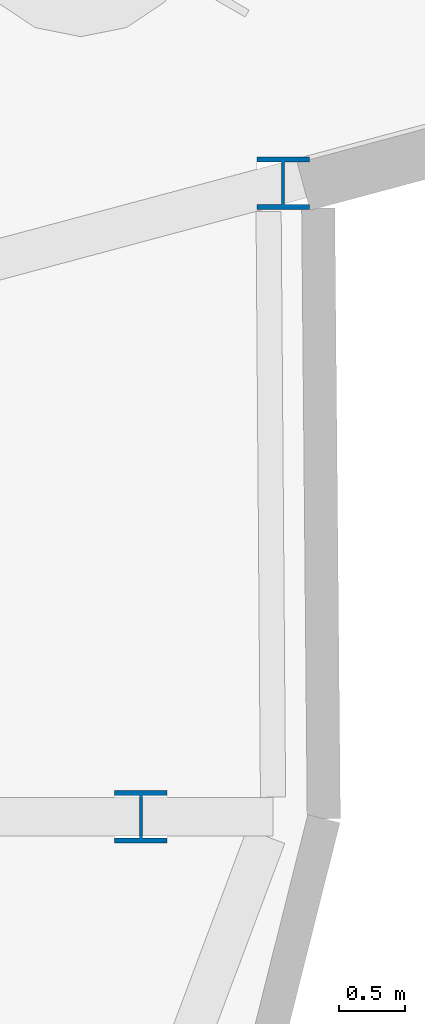
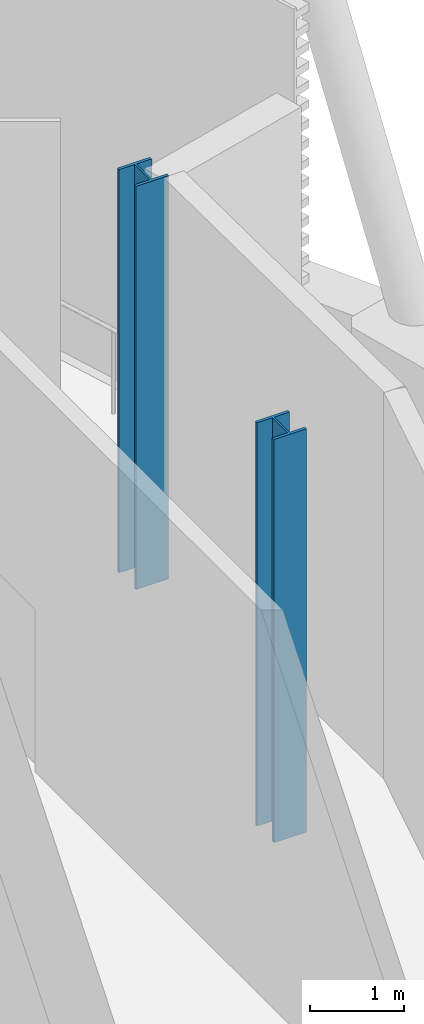
# One storey, part 2 of 22: 2 columns.
"""IFC4 building model written with IfcOpenShell, lengths in metres."""

from ifc_helpers import new_model, si_unit, direction, frame, origin, origin_2d, place, context, subcontext, project, spatial, i_section, extrude, material, material_profile, profile_set, type_object, element, save


model = new_model("IFC4")

# Units and contexts
model_context = context("Model", 3, precision=1e-05, world=origin(), true_north=direction((0.0, 1.0)))
body_context = subcontext(model_context, "Body", "Model", "MODEL_VIEW")
ifc_project = project(units=[si_unit("LENGTHUNIT", "METRE"), si_unit("AREAUNIT", "SQUARE_METRE"), si_unit("VOLUMEUNIT", "CUBIC_METRE"), si_unit("PLANEANGLEUNIT", "RADIAN"), si_unit("MASSUNIT", "GRAM", prefix="KILO")], contexts=[model_context])

# Site, building, storey
site_placement = place(None, origin())
site = spatial("IfcSite", under=ifc_project, at=site_placement, CompositionType="ELEMENT")
building_placement = place(site_placement, origin())
building = spatial("IfcBuilding", under=site, at=building_placement, Name="Rimbun Link Towers", CompositionType="ELEMENT")
storey_placement = place(building_placement, frame((0.0, 0.0, 204.5)))
storey = spatial("IfcBuildingStorey", under=building, at=storey_placement, Name="L50", CompositionType="ELEMENT", Elevation=204.5)

# Columns
ifc_material = material(Name="Steel S355J2", Category="steel")
ifc_material_profile = material_profile(ifc_material, i_section(OverallWidth=0.39892578125, OverallDepth=0.3935546875, WebThickness=0.022705078125, FlangeThickness=0.03662109375, at=origin_2d()), Name="UC 356x406x287")
ifc_profile_set = profile_set([ifc_material_profile], Name="Steel S355J2")
column_type = type_object("IfcColumnType", Name="UC 356x406x287", PredefinedType="COLUMN", material=ifc_profile_set)
for number, where, z_axis, x_axis, name in (
    (1, (48.52880859375, 0.0, -0.199951171875), (0.0, 0.0, 1.0), (1.0, 0.0, 0.0), "Crease post T2 L50 21"),
    (2, (49.603515625, 4.783935546875, -0.199951171875), (0.0, 0.0, 1.0), (1.0, 0.0, 0.0), "Crease post T2 L50 22"),
):
    element("IfcColumn", number, at=place(storey_placement, frame(where, z_axis=z_axis, x_axis=x_axis)), inside=storey, type_object=column_type, Name=name, PredefinedType="COLUMN", context=body_context, shape_type="SweptSolid", body=[
        extrude(i_section(OverallWidth=0.39892578125, OverallDepth=0.3935546875, WebThickness=0.022705078125, FlangeThickness=0.03662109375, at=origin_2d()), origin(), (0.0, 0.0, 1.0), 5.21923828125),
    ])

save(model, "model.ifc")
